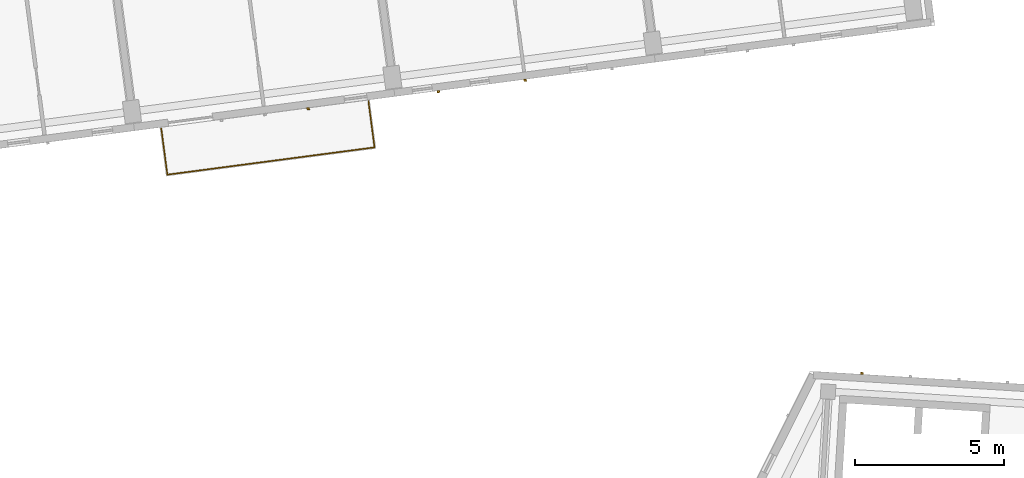
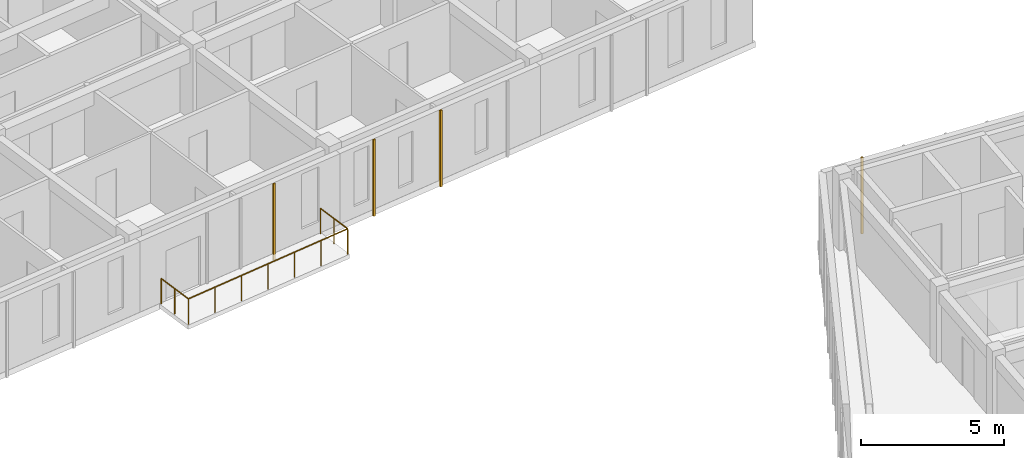
# One storey, part 47 of 68: 4 coverings, 1 railing.
"""IFC4 building model written with IfcOpenShell, lengths in metres."""

from ifc_helpers import new_model, si_unit, direction, frame, origin, origin_2d, place, context, subcontext, project, spatial, rectangle, circle, extrude, material, layer, layer_set, type_object, element, save


model = new_model("IFC4")

# Units and contexts
model_context = context("Model", 3, precision=1e-05, world=origin(), true_north=direction((0.0, 1.0)))
body_context = subcontext(model_context, "Body", "Model", "MODEL_VIEW")
ifc_project = project(units=[si_unit("LENGTHUNIT", "METRE"), si_unit("AREAUNIT", "SQUARE_METRE"), si_unit("VOLUMEUNIT", "CUBIC_METRE"), si_unit("PLANEANGLEUNIT", "RADIAN"), si_unit("MASSUNIT", "GRAM", prefix="KILO")], contexts=[model_context])

# Site, building, storey
site_placement = place(None, origin())
site = spatial("IfcSite", under=ifc_project, at=site_placement, CompositionType="ELEMENT")
building_placement = place(site_placement, origin())
building = spatial("IfcBuilding", under=site, at=building_placement, Name="Kestramere Prow Commons", CompositionType="ELEMENT")
storey_placement = place(building_placement, frame((0.0, 0.0, 18.14990234375)))
storey = spatial("IfcBuildingStorey", under=building, at=storey_placement, Name="L05", CompositionType="ELEMENT", Elevation=18.14990234375)

# Coverings
ifc_material_1 = material(Name="Weathered Zinc-Titanium Standing-Seam Cladding")
ifc_layer = layer(ifc_material_1, 0.074951171875)
ifc_layer_set = layer_set([ifc_layer], Name="Weathered Zinc-Titanium Standing-Seam Cladding")
covering_type = type_object("IfcCoveringType", Name="COV-CLAD-SEAM", PredefinedType="CLADDING", material=ifc_layer_set)
for number, where, z_axis, x_axis, name in (
    (1, (43.279052734375, 75.5400390625, -0.25), (0.0, 0.0, 1.0), (-0.991444861374, -0.13052619222, 0.0), "EW-A-L05-S-3 Standing-Seam Rib 2"),
    (2, (50.549560546875, 76.4970703125, -0.25), (0.0, 0.0, 1.0), (-0.991444861374, -0.13052619222, 0.0), "EW-A-L05-S-4 Standing-Seam Rib 3"),
    (3, (47.641357421875, 76.1142578125, -0.25), (0.0, 0.0, 1.0), (-0.991444861374, -0.13052619222, 0.0), "EW-A-L05-S-4 Standing-Seam Rib 5"),
    (4, (61.8359375, 66.672607421875, -0.25), (0.0, 0.0, 1.0), (0.998134798422, -0.061048539535, 0.0), "EW-C-L05-N-0 Standing-Seam Rib 1"),
):
    element("IfcCovering", number, at=place(storey_placement, frame(where, z_axis=z_axis, x_axis=x_axis)), inside=storey, type_object=covering_type, Name=name, PredefinedType="CLADDING", context=body_context, shape_type="SweptSolid", body=[
        extrude(rectangle(XDim=0.0849609375, YDim=0.06494140625, at=origin_2d()), origin(), (0.0, 0.0, 1.0), 3.25),
    ])

# Railing
ifc_material_2 = material(Name="Powder-Coated Aluminium 6063-T6", Category="aluminium")
railing_type = type_object("IfcRailingType", Name="GRD-BALC-1100", PredefinedType="BALUSTRADE", material=ifc_material_2)
railing_placement = place(storey_placement, frame((38.3564453125, 74.879150390625, 0.0)))
element("IfcRailing", 5, at=railing_placement, inside=storey, type_object=railing_type, Name="Block A L05 Balcony Guardrail 4", PredefinedType="BALUSTRADE", context=body_context, shape_type="SweptSolid", body=[
    extrude(circle(Radius=0.02392578125, at=origin_2d()), frame((0.0, 0.0, 1.076171875), z_axis=(0.130523335136, -0.991445237512, 0.0), x_axis=(0.991445237512, 0.130523335136, 0.0)), (0.0, 0.0, 1.0), 1.56005859375),
    extrude(circle(Radius=0.02392578125, at=origin_2d()), frame((0.20361328125, -1.546630859375, 1.076171875), z_axis=(0.991442539299, 0.130543828916, 0.0), x_axis=(-0.130543828916, 0.991442539299, 0.0)), (0.0, 0.0, 1.0), 7.0),
    extrude(circle(Radius=0.02392578125, at=origin_2d()), frame((7.143798828125, -0.6328125, 1.076171875), z_axis=(-0.130523335136, 0.991445237512, 0.0), x_axis=(-0.991445237512, -0.130523335136, 0.0)), (0.0, 0.0, 1.0), 1.56005859375),
    extrude(circle(Radius=0.02099609375, at=origin_2d()), origin(), (0.0, 0.0, 1.0), 1.052001953125),
    extrude(circle(Radius=0.02099609375, at=origin_2d()), frame((0.101806640625, -0.7734375, 0.0)), (0.0, 0.0, 1.0), 1.052001953125),
    extrude(circle(Radius=0.02099609375, at=origin_2d()), frame((0.20361328125, -1.546630859375, 0.0)), (0.0, 0.0, 1.0), 1.052001953125),
    extrude(circle(Radius=0.02099609375, at=origin_2d()), frame((1.3603515625, -1.394287109375, 0.0)), (0.0, 0.0, 1.0), 1.052001953125),
    extrude(circle(Radius=0.02099609375, at=origin_2d()), frame((2.51708984375, -1.241943359375, 0.0)), (0.0, 0.0, 1.0), 1.052001953125),
    extrude(circle(Radius=0.02099609375, at=origin_2d()), frame((3.673828125, -1.08984375, 0.0)), (0.0, 0.0, 1.0), 1.052001953125),
    extrude(circle(Radius=0.02099609375, at=origin_2d()), frame((4.830322265625, -0.9375, 0.0)), (0.0, 0.0, 1.0), 1.052001953125),
    extrude(circle(Radius=0.02099609375, at=origin_2d()), frame((5.987060546875, -0.78515625, 0.0)), (0.0, 0.0, 1.0), 1.052001953125),
    extrude(circle(Radius=0.02099609375, at=origin_2d()), frame((7.143798828125, -0.6328125, 0.0)), (0.0, 0.0, 1.0), 1.052001953125),
    extrude(circle(Radius=0.02099609375, at=origin_2d()), frame((7.0419921875, 0.140625, 0.0)), (0.0, 0.0, 1.0), 1.052001953125),
    extrude(circle(Radius=0.02099609375, at=origin_2d()), frame((6.940185546875, 0.913818359375, 0.0)), (0.0, 0.0, 1.0), 1.052001953125),
])

save(model, "model.ifc")
